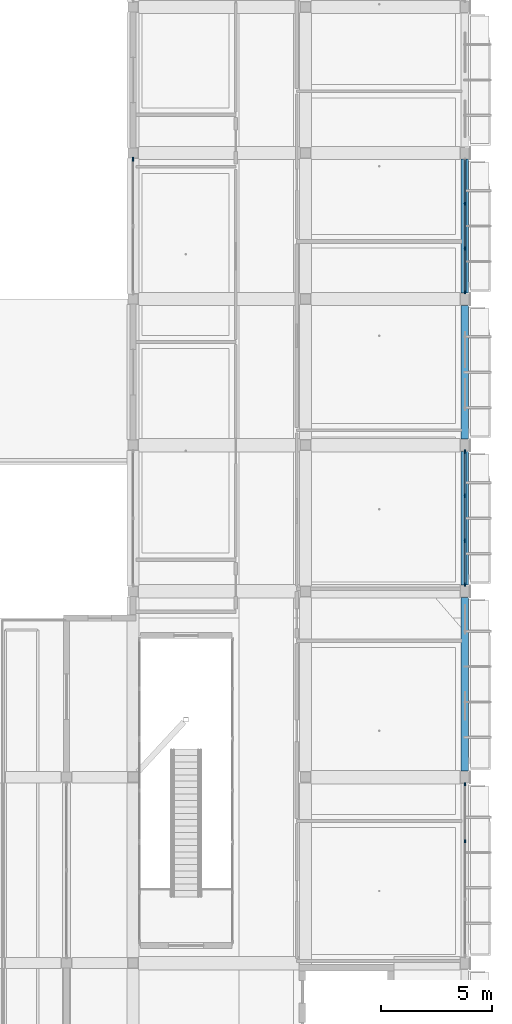
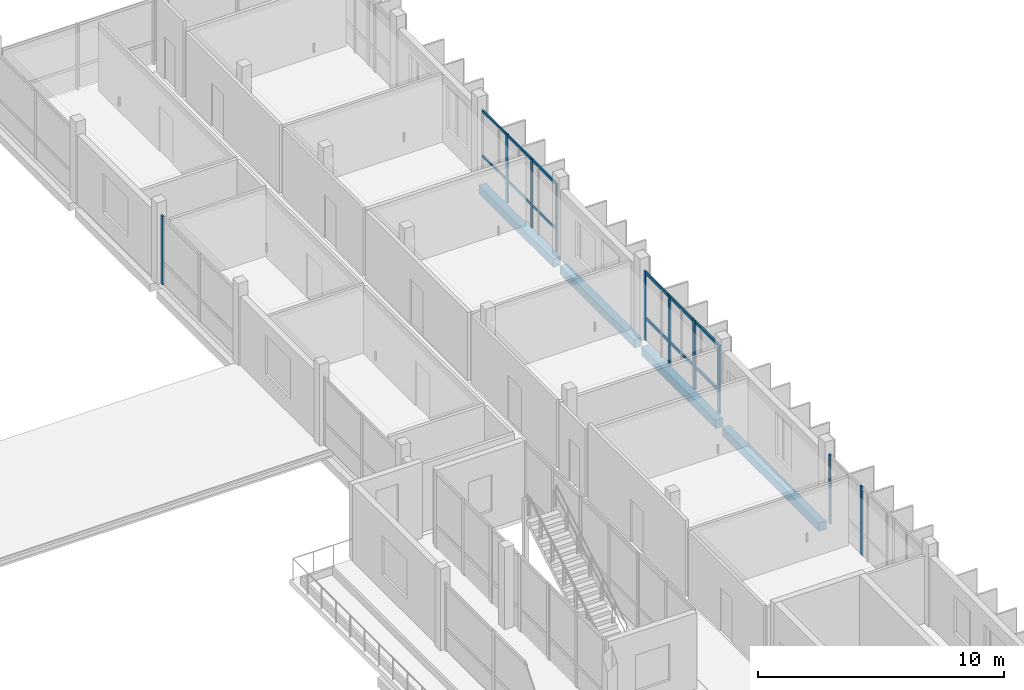
# One storey, part 37 of 86: 14 members, 4 beams, 4 elements without a shape of their own.
"""IFC4 building model written with IfcOpenShell, lengths in metres."""

from ifc_helpers import new_model, si_unit, derived_unit, direction, frame, origin, origin_2d, place, context, subcontext, project, spatial, rectangle, extrude, material, material_profile, profile_set, type_object, element, aggregate, save


model = new_model("IFC4")

# Units and contexts
model_context = context("Model", 3, precision=1e-05, world=origin(), true_north=direction((0.0, 1.0)))
body_context = subcontext(model_context, "Body", "Model", "MODEL_VIEW")
ifc_project = project(units=[si_unit("LENGTHUNIT", "METRE"), si_unit("AREAUNIT", "SQUARE_METRE"), si_unit("VOLUMEUNIT", "CUBIC_METRE"), si_unit("PLANEANGLEUNIT", "RADIAN"), si_unit("MASSUNIT", "GRAM", prefix="KILO"), derived_unit("THERMALTRANSMITTANCEUNIT", [(si_unit("POWERUNIT", "WATT"), 1), (si_unit("LENGTHUNIT", "METRE"), -2), (si_unit("THERMODYNAMICTEMPERATUREUNIT", "KELVIN"), -1)])], contexts=[model_context])

# Site, building, storey
site_placement = place(None, origin())
site = spatial("IfcSite", under=ifc_project, at=site_placement, CompositionType="ELEMENT")
building_placement = place(site_placement, origin())
building = spatial("IfcBuilding", under=site, at=building_placement, Name="Braskholm Square Health Centre", CompositionType="ELEMENT")
storey_placement = place(building_placement, frame((0.0, 0.0, 13.5)))
storey = spatial("IfcBuildingStorey", under=building, at=storey_placement, Name="L04", CompositionType="ELEMENT", Elevation=13.5)

# Curtain wall, members
ifc_material_1 = material(Name="Low-E triple insulating glass (VLT 0.64)", Category="glass")
curtain_wall_type = type_object("IfcCurtainWallType", Name="UnitisedCurtainWall6200x3650", PredefinedType="NOTDEFINED", material=ifc_material_1)
curtain_wall_1_placement = place(storey_placement, origin())
curtain_wall_1 = element("IfcCurtainWall", 1, at=curtain_wall_1_placement, inside=storey, type_object=curtain_wall_type, Name="East Outer unitised curtain wall CW-L04-0072", PredefinedType="NOTDEFINED")
ifc_material_2 = material(Name="Architectural bronze anodised aluminium", Category="aluminium")
ifc_material_profile_1 = material_profile(ifc_material_2, rectangle(XDim=0.06494140625, YDim=0.14990234375, at=origin_2d()), Name="ALU-65X150")
ifc_profile_set_1 = profile_set([ifc_material_profile_1], Name="Architectural bronze anodised aluminium")
member_type_1 = type_object("IfcMemberType", Name="CurtainWallMullion65x150", PredefinedType="MULLION", material=ifc_profile_set_1)
member_1_placement = place(storey_placement, frame((163.800048828125, 69.31005859375, 0.0), z_axis=(0.0, 0.0, 1.0), x_axis=(1.0, 0.0, 0.0)))
member_1 = element("IfcMember", 2, at=member_1_placement, type_object=member_type_1, Name="CW-L04-0072 vertical mullion 3", PredefinedType="MULLION", context=body_context, shape_type="SweptSolid", body=[
    extrude(rectangle(XDim=0.06494140625, YDim=0.14990234375, at=origin_2d()), origin(), (0.0, 0.0, 1.0), 3.419921875),
])
member_2_placement = place(storey_placement, frame((163.800048828125, 71.8828125, 0.0), z_axis=(0.0, 0.0, 1.0), x_axis=(1.0, 0.0, 0.0)))
member_2 = element("IfcMember", 3, at=member_2_placement, type_object=member_type_1, Name="CW-L04-0072 vertical mullion 4", PredefinedType="MULLION", context=body_context, shape_type="SweptSolid", body=[
    extrude(rectangle(XDim=0.06494140625, YDim=0.14990234375, at=origin_2d()), origin(), (0.0, 0.0, 1.0), 3.419921875),
])
aggregate(curtain_wall_1, [member_1, member_2])

curtain_wall_2_placement = place(storey_placement, origin())
curtain_wall_2 = element("IfcCurtainWall", 4, at=curtain_wall_2_placement, inside=storey, type_object=curtain_wall_type, Name="East Outer unitised curtain wall CW-L04-0074", PredefinedType="NOTDEFINED")
member_3_placement = place(storey_placement, frame((163.800048828125, 94.1064453125, 0.0), z_axis=(0.0, 0.0, 1.0), x_axis=(1.0, 0.0, 0.0)))
member_3 = element("IfcMember", 5, at=member_3_placement, type_object=member_type_1, Name="CW-L04-0074 vertical mullion 1", PredefinedType="MULLION", context=body_context, shape_type="SweptSolid", body=[
    extrude(rectangle(XDim=0.06494140625, YDim=0.14990234375, at=origin_2d()), origin(), (0.0, 0.0, 1.0), 3.419921875),
])
member_4_placement = place(storey_placement, frame((163.800048828125, 96.090087890625, 0.0), z_axis=(0.0, 0.0, 1.0), x_axis=(1.0, 0.0, 0.0)))
member_4 = element("IfcMember", 6, at=member_4_placement, type_object=member_type_1, Name="CW-L04-0074 vertical mullion 2", PredefinedType="MULLION", context=body_context, shape_type="SweptSolid", body=[
    extrude(rectangle(XDim=0.06494140625, YDim=0.14990234375, at=origin_2d()), origin(), (0.0, 0.0, 1.0), 3.419921875),
])
member_5_placement = place(storey_placement, frame((163.800048828125, 98.110107421875, 0.0), z_axis=(0.0, 0.0, 1.0), x_axis=(1.0, 0.0, 0.0)))
member_5 = element("IfcMember", 7, at=member_5_placement, type_object=member_type_1, Name="CW-L04-0074 vertical mullion 3", PredefinedType="MULLION", context=body_context, shape_type="SweptSolid", body=[
    extrude(rectangle(XDim=0.06494140625, YDim=0.14990234375, at=origin_2d()), origin(), (0.0, 0.0, 1.0), 3.419921875),
])

curtain_wall_3_placement = place(storey_placement, origin())
curtain_wall_3 = element("IfcCurtainWall", 8, at=curtain_wall_3_placement, inside=storey, type_object=curtain_wall_type, Name="East Outer unitised curtain wall CW-L04-0073", PredefinedType="NOTDEFINED")
ifc_material_profile_2 = material_profile(ifc_material_2, rectangle(XDim=0.074951171875, YDim=0.179931640625, at=origin_2d()), Name="ALU-75X180")
ifc_profile_set_2 = profile_set([ifc_material_profile_2], Name="Architectural bronze anodised aluminium")
member_type_2 = type_object("IfcMemberType", Name="CurtainWallMullion75x180", PredefinedType="MULLION", material=ifc_profile_set_2)
member_6_placement = place(storey_placement, frame((163.800048828125, 80.906494140625, 0.0), z_axis=(0.0, 0.0, 1.0), x_axis=(1.0, 0.0, 0.0)))
member_6 = element("IfcMember", 9, at=member_6_placement, type_object=member_type_2, Name="CW-L04-0073 vertical mullion 1", PredefinedType="MULLION", context=body_context, shape_type="SweptSolid", body=[
    extrude(rectangle(XDim=0.074951171875, YDim=0.179931640625, at=origin_2d()), origin(), (0.0, 0.0, 1.0), 3.419921875),
])
member_7_placement = place(storey_placement, frame((163.800048828125, 82.889892578125, 0.0), z_axis=(0.0, 0.0, 1.0), x_axis=(1.0, 0.0, 0.0)))
member_7 = element("IfcMember", 10, at=member_7_placement, type_object=member_type_2, Name="CW-L04-0073 vertical mullion 2", PredefinedType="MULLION", context=body_context, shape_type="SweptSolid", body=[
    extrude(rectangle(XDim=0.074951171875, YDim=0.179931640625, at=origin_2d()), origin(), (0.0, 0.0, 1.0), 3.419921875),
])
member_8_placement = place(storey_placement, frame((163.800048828125, 84.909912109375, 0.0), z_axis=(0.0, 0.0, 1.0), x_axis=(1.0, 0.0, 0.0)))
member_8 = element("IfcMember", 11, at=member_8_placement, type_object=member_type_2, Name="CW-L04-0073 vertical mullion 3", PredefinedType="MULLION", context=body_context, shape_type="SweptSolid", body=[
    extrude(rectangle(XDim=0.074951171875, YDim=0.179931640625, at=origin_2d()), origin(), (0.0, 0.0, 1.0), 3.419921875),
])
member_9_placement = place(storey_placement, frame((163.800048828125, 86.8935546875, 0.0), z_axis=(0.0, 0.0, 1.0), x_axis=(1.0, 0.0, 0.0)))
member_9 = element("IfcMember", 12, at=member_9_placement, type_object=member_type_2, Name="CW-L04-0073 vertical mullion 4", PredefinedType="MULLION", context=body_context, shape_type="SweptSolid", body=[
    extrude(rectangle(XDim=0.074951171875, YDim=0.179931640625, at=origin_2d()), origin(), (0.0, 0.0, 1.0), 3.419921875),
])

# Curtain wall, member
curtain_wall_4_placement = place(storey_placement, origin())
curtain_wall_4 = element("IfcCurtainWall", 13, at=curtain_wall_4_placement, inside=storey, type_object=curtain_wall_type, Name="East Valley unitised curtain wall CW-L04-0135", PredefinedType="NOTDEFINED")
member_10_placement = place(storey_placement, frame((148.800048828125, 100.123291015625, 0.0), z_axis=(0.0, 0.0, 1.0), x_axis=(1.0, 0.0, 0.0)))
member_10 = element("IfcMember", 14, at=member_10_placement, type_object=member_type_2, Name="CW-L04-0135 vertical mullion 1", PredefinedType="MULLION", context=body_context, shape_type="SweptSolid", body=[
    extrude(rectangle(XDim=0.074951171875, YDim=0.179931640625, at=origin_2d()), origin(), (0.0, 0.0, 1.0), 3.389892578125),
])
aggregate(curtain_wall_4, [member_10])

# Member
ifc_material_profile_3 = material_profile(ifc_material_2, rectangle(XDim=0.06494140625, YDim=0.1201171875, at=origin_2d()), Name="ALU-65X120")
ifc_profile_set_3 = profile_set([ifc_material_profile_3], Name="Architectural bronze anodised aluminium")
member_type_3 = type_object("IfcMemberType", Name="CurtainWallTransom65x120", PredefinedType="USERDEFINED", material=ifc_profile_set_3)
member_11_placement = place(storey_placement, frame((163.800048828125, 94.114990234375, 1.1201171875), z_axis=(0.0, 1.0, 0.0), x_axis=(-1.0, 0.0, 0.0)))
member_11 = element("IfcMember", 15, at=member_11_placement, type_object=member_type_3, Name="CW-L04-0074 horizontal transom 1", ObjectType="TRANSOM", PredefinedType="USERDEFINED", context=body_context, shape_type="SweptSolid", body=[
    extrude(rectangle(XDim=0.06494140625, YDim=0.1201171875, at=origin_2d()), origin(), (0.0, 0.0, 1.0), 5.969970703125),
])

member_12_placement = place(storey_placement, frame((163.800048828125, 94.114990234375, 3.35009765625), z_axis=(0.0, 1.0, 0.0), x_axis=(-1.0, 0.0, 0.0)))
member_12 = element("IfcMember", 16, at=member_12_placement, type_object=member_type_3, Name="CW-L04-0074 horizontal transom 2", ObjectType="TRANSOM", PredefinedType="USERDEFINED", context=body_context, shape_type="SweptSolid", body=[
    extrude(rectangle(XDim=0.06494140625, YDim=0.1201171875, at=origin_2d()), origin(), (0.0, 0.0, 1.0), 5.969970703125),
])

aggregate(curtain_wall_2, [member_3, member_4, member_5, member_11, member_12])

ifc_material_profile_4 = material_profile(ifc_material_2, rectangle(XDim=0.074951171875, YDim=0.139892578125, at=origin_2d()), Name="ALU-75X140")
ifc_profile_set_4 = profile_set([ifc_material_profile_4], Name="Architectural bronze anodised aluminium")
member_type_4 = type_object("IfcMemberType", Name="CurtainWallTransom75x140", PredefinedType="USERDEFINED", material=ifc_profile_set_4)
member_13_placement = place(storey_placement, frame((163.800048828125, 80.9150390625, 1.1201171875), z_axis=(0.0, 1.0, 0.0), x_axis=(-1.0, 0.0, 0.0)))
member_13 = element("IfcMember", 17, at=member_13_placement, type_object=member_type_4, Name="CW-L04-0073 horizontal transom 1", ObjectType="TRANSOM", PredefinedType="USERDEFINED", context=body_context, shape_type="SweptSolid", body=[
    extrude(rectangle(XDim=0.074951171875, YDim=0.139892578125, at=origin_2d()), origin(), (0.0, 0.0, 1.0), 5.969970703125),
])

member_14_placement = place(storey_placement, frame((163.800048828125, 80.9150390625, 3.35009765625), z_axis=(0.0, 1.0, 0.0), x_axis=(-1.0, 0.0, 0.0)))
member_14 = element("IfcMember", 18, at=member_14_placement, type_object=member_type_4, Name="CW-L04-0073 horizontal transom 2", ObjectType="TRANSOM", PredefinedType="USERDEFINED", context=body_context, shape_type="SweptSolid", body=[
    extrude(rectangle(XDim=0.074951171875, YDim=0.139892578125, at=origin_2d()), origin(), (0.0, 0.0, 1.0), 5.969970703125),
])

aggregate(curtain_wall_3, [member_6, member_7, member_8, member_9, member_13, member_14])

# Beams
ifc_material_3 = material(Name="Precast concrete C40/50 architectural white", Category="concrete")
ifc_material_profile_5 = material_profile(ifc_material_3, rectangle(XDim=0.340087890625, YDim=0.419921875, at=origin_2d()), Name="RCB-340X420")
ifc_profile_set_5 = profile_set([ifc_material_profile_5], Name="Precast concrete C40/50 architectural white")
beam_type = type_object("IfcBeamType", Name="SpandrelCrownEdge340x420", PredefinedType="SPANDREL", material=ifc_profile_set_5)
beam_placement = place(storey_placement, frame((163.800048828125, 72.47998046875, -0.510009765625), z_axis=(0.0, 1.0, 0.0), x_axis=(-1.0, 0.0, 0.0)))
element("IfcBeam", 19, at=beam_placement, inside=storey, type_object=beam_type, Name="Beam 22/L-M L04", PredefinedType="SPANDREL", context=body_context, shape_type="SweptSolid", body=[
    extrude(rectangle(XDim=0.340087890625, YDim=0.419921875, at=origin_2d()), origin(), (0.0, 0.0, 1.0), 7.840087890625),
])
for number, where, z_axis, x_axis, name in (
    (20, (163.800048828125, 80.8798828125, -0.510009765625), (0.0, 1.0, 0.0), (-1.0, 0.0, 0.0), "Beam 22/M-N L04"),
    (21, (163.800048828125, 87.47998046875, -0.510009765625), (0.0, 1.0, 0.0), (-1.0, 0.0, 0.0), "Beam 22/N-P L04"),
    (22, (163.800048828125, 94.080078125, -0.510009765625), (0.0, 1.0, 0.0), (-1.0, 0.0, 0.0), "Beam 22/P-Q L04"),
):
    element("IfcBeam", number, at=place(storey_placement, frame(where, z_axis=z_axis, x_axis=x_axis)), inside=storey, type_object=beam_type, Name=name, PredefinedType="SPANDREL", context=body_context, shape_type="SweptSolid", body=[
        extrude(rectangle(XDim=0.340087890625, YDim=0.419921875, at=origin_2d()), origin(), (0.0, 0.0, 1.0), 6.0400390625),
    ])

save(model, "model.ifc")
